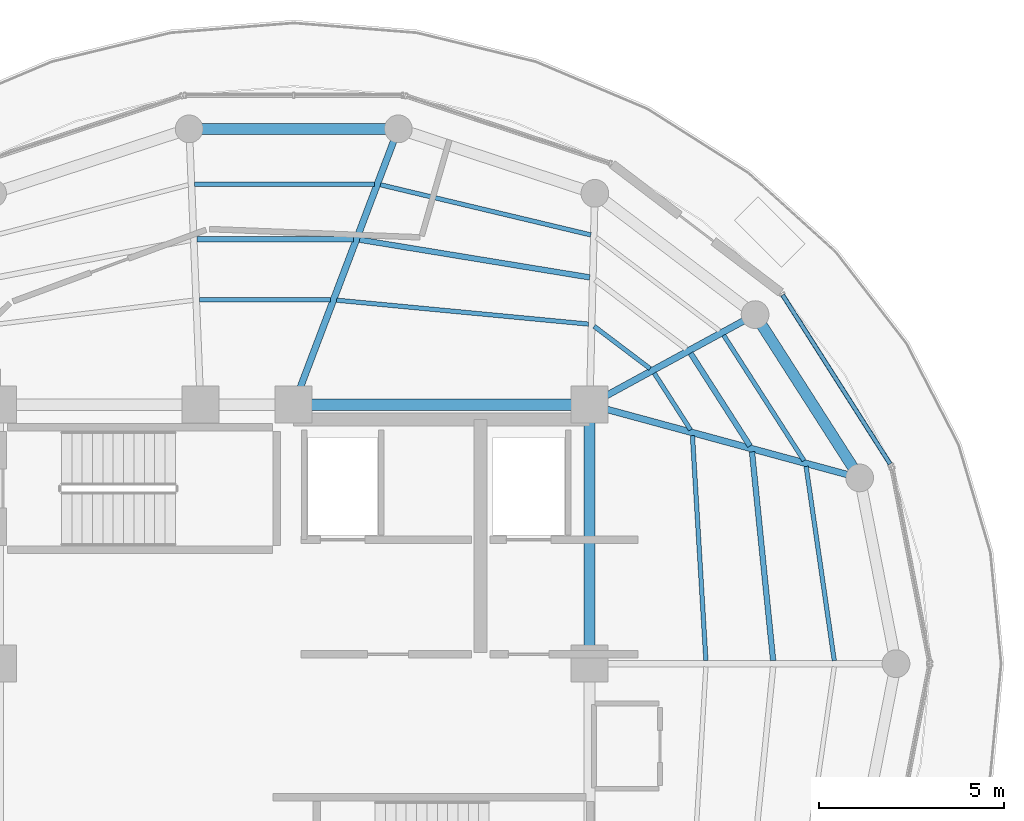
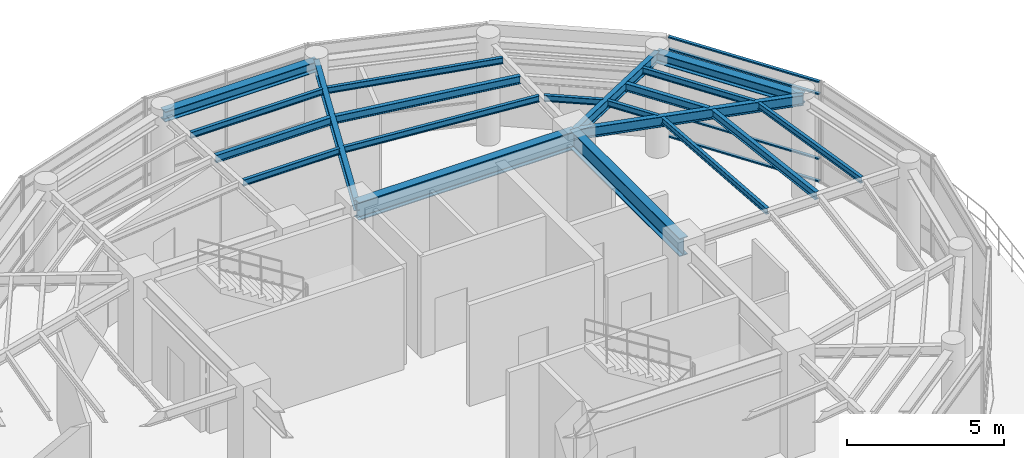
# One storey, part 12 of 20: 20 beams, 4 members, 1 element without a shape of its own.
"""IFC4 building model written with IfcOpenShell, lengths in metres."""

from ifc_helpers import new_model, si_unit, direction, frame, origin, origin_2d, place, context, subcontext, project, spatial, hollow_rectangle, i_section, extrude, material, layer, layer_set, material_profile, profile_set, type_object, element, aggregate, save


model = new_model("IFC4")

# Units and contexts
model_context = context("Model", 3, precision=1e-05, world=origin(), true_north=direction((0.0, 1.0)))
body_context = subcontext(model_context, "Body", "Model", "MODEL_VIEW")
ifc_project = project(units=[si_unit("LENGTHUNIT", "METRE"), si_unit("AREAUNIT", "SQUARE_METRE"), si_unit("VOLUMEUNIT", "CUBIC_METRE"), si_unit("PLANEANGLEUNIT", "RADIAN"), si_unit("MASSUNIT", "GRAM", prefix="KILO")], contexts=[model_context])

# Site, building, storey
site_placement = place(None, origin())
site = spatial("IfcSite", under=ifc_project, at=site_placement, CompositionType="ELEMENT")
building_placement = place(site_placement, origin())
building = spatial("IfcBuilding", under=site, at=building_placement, Name="Kelanora Arch Commons", CompositionType="ELEMENT")
storey_placement = place(building_placement, frame((0.0, 0.0, 298.5)))
storey = spatial("IfcBuildingStorey", under=building, at=storey_placement, Name="L76", CompositionType="ELEMENT", Elevation=298.5)

# Beams
ifc_material_1 = material(Name="Steel S355", Category="steel")
ifc_material_profile_1 = material_profile(ifc_material_1, i_section(OverallWidth=0.300048828125, OverallDepth=0.699951171875, WebThickness=0.01708984375, FlangeThickness=0.031982421875, FilletRadius=0.027099609375, at=origin_2d()), Name="HEB700")
ifc_profile_set_1 = profile_set([ifc_material_profile_1], Name="Steel S355")
beam_type_1 = type_object("IfcBeamType", Name="BM-CORE-HDR", PredefinedType="BEAM", material=ifc_profile_set_1)
beam_1_placement = place(storey_placement, frame((82.0, 58.0, 3.590087890625), z_axis=(0.0, 1.0, 0.0), x_axis=(-1.0, 0.0, 0.0)))
element("IfcBeam", 1, at=beam_1_placement, inside=storey, type_object=beam_type_1, Name="Core Header Beam 04 L76", PredefinedType="BEAM", context=body_context, shape_type="SweptSolid", body=[
    extrude(i_section(OverallWidth=0.300048828125, OverallDepth=0.699951171875, WebThickness=0.01708984375, FlangeThickness=0.031982421875, FilletRadius=0.027099609375, at=origin_2d()), origin(), (0.0, 0.0, 1.0), 7.0),
])
beam_2_placement = place(storey_placement, frame((82.0, 65.0, 3.590087890625), z_axis=(-1.0, 0.0, 0.0), x_axis=(0.0, -1.0, 0.0)))
element("IfcBeam", 2, at=beam_2_placement, inside=storey, type_object=beam_type_1, Name="Core Header Beam 05 L76", PredefinedType="BEAM", context=body_context, shape_type="SweptSolid", body=[
    extrude(i_section(OverallWidth=0.300048828125, OverallDepth=0.699951171875, WebThickness=0.01708984375, FlangeThickness=0.031982421875, FilletRadius=0.027099609375, at=origin_2d()), origin(), (0.0, 0.0, 1.0), 8.0),
])
ifc_material_profile_2 = material_profile(ifc_material_1, i_section(OverallWidth=0.14990234375, OverallDepth=0.300048828125, WebThickness=0.007080078125, FlangeThickness=0.0107421875, FilletRadius=0.014892578125, at=origin_2d()), Name="IPE300")
ifc_profile_set_2 = profile_set([ifc_material_profile_2], Name="Steel S355")
beam_type_2 = type_object("IfcBeamType", Name="BM-JST-01", PredefinedType="JOIST", material=ifc_profile_set_2)
beam_3_placement = place(storey_placement, frame((86.95947265625, 58.084716796875, 3.7900390625), z_axis=(-0.100846008885, 0.994902046682, 0.0), x_axis=(-0.994902046682, -0.100846008885, 0.0)))
element("IfcBeam", 3, at=beam_3_placement, inside=storey, type_object=beam_type_2, Name="Secondary Chord Joist BJB-00 L76", PredefinedType="JOIST", context=body_context, shape_type="SweptSolid", body=[
    extrude(i_section(OverallWidth=0.14990234375, OverallDepth=0.300048828125, WebThickness=0.007080078125, FlangeThickness=0.0107421875, FilletRadius=0.014892578125, at=origin_2d()), origin(), (0.0, 0.0, 1.0), 5.672119140625),
])
beam_4_placement = place(storey_placement, frame((86.3330078125, 63.884033203125, 3.7900390625), z_axis=(-0.539193378054, 0.84218198809, 0.0), x_axis=(-0.84218198809, -0.539193378054, 0.0)))
element("IfcBeam", 4, at=beam_4_placement, inside=storey, type_object=beam_type_2, Name="Secondary Chord Joist BJB-02 L76", PredefinedType="JOIST", context=body_context, shape_type="SweptSolid", body=[
    extrude(i_section(OverallWidth=0.14990234375, OverallDepth=0.300048828125, WebThickness=0.007080078125, FlangeThickness=0.0107421875, FilletRadius=0.014892578125, at=origin_2d()), origin(), (0.0, 0.0, 1.0), 2.975830078125),
])
beam_5_placement = place(storey_placement, frame((82.0, 68.441650390625, 3.7900390625), z_axis=(-0.986849654094, 0.16164083709, 0.0), x_axis=(-0.16164083709, -0.986849654094, 0.0)))
element("IfcBeam", 5, at=beam_5_placement, inside=storey, type_object=beam_type_2, Name="Secondary Chord Joist BJB-06 L76", PredefinedType="JOIST", context=body_context, shape_type="SweptSolid", body=[
    extrude(i_section(OverallWidth=0.14990234375, OverallDepth=0.300048828125, WebThickness=0.007080078125, FlangeThickness=0.0107421875, FilletRadius=0.014892578125, at=origin_2d()), origin(), (0.0, 0.0, 1.0), 6.302734375),
])
beam_6_placement = place(storey_placement, frame((75.611083984375, 69.47412109375, 3.7900390625), z_axis=(-1.0, 0.0, 0.0), x_axis=(0.0, -1.0, 0.0)))
element("IfcBeam", 6, at=beam_6_placement, inside=storey, type_object=beam_type_2, Name="Secondary Chord Joist BJB-08 L76", PredefinedType="JOIST", context=body_context, shape_type="SweptSolid", body=[
    extrude(i_section(OverallWidth=0.14990234375, OverallDepth=0.300048828125, WebThickness=0.007080078125, FlangeThickness=0.0107421875, FilletRadius=0.014892578125, at=origin_2d()), origin(), (0.0, 0.0, 1.0), 4.230224609375),
])
ifc_material_profile_3 = material_profile(ifc_material_1, i_section(OverallWidth=0.1201171875, OverallDepth=0.239990234375, WebThickness=0.006103515625, FlangeThickness=0.009765625, FilletRadius=0.014892578125, at=origin_2d()), Name="IPE240")
ifc_profile_set_3 = profile_set([ifc_material_profile_3], Name="Steel S355")
beam_type_3 = type_object("IfcBeamType", Name="BM-JST-02", PredefinedType="JOIST", material=ifc_profile_set_3)
beam_7_placement = place(storey_placement, frame((85.141357421875, 58.084716796875, 3.820068359375), z_axis=(-0.059619828045, 0.998221155909, 0.0), x_axis=(-0.998221155909, -0.059619828045, 0.0)))
element("IfcBeam", 7, at=beam_7_placement, inside=storey, type_object=beam_type_3, Name="Secondary Chord Joist BJA-00 L76", PredefinedType="JOIST", context=body_context, shape_type="SweptSolid", body=[
    extrude(i_section(OverallWidth=0.1201171875, OverallDepth=0.239990234375, WebThickness=0.006103515625, FlangeThickness=0.009765625, FilletRadius=0.014892578125, at=origin_2d()), origin(), (0.0, 0.0, 1.0), 6.089111328125),
])
beam_8_placement = place(storey_placement, frame((88.61181640625, 58.083984375, 3.820068359375), z_axis=(-0.143489842264, 0.989651789857, 0.0), x_axis=(-0.989651789857, -0.143489842264, 0.0)))
element("IfcBeam", 8, at=beam_8_placement, inside=storey, type_object=beam_type_3, Name="Secondary Chord Joist BJC-00 L76", PredefinedType="JOIST", context=body_context, shape_type="SweptSolid", body=[
    extrude(i_section(OverallWidth=0.1201171875, OverallDepth=0.239990234375, WebThickness=0.006103515625, FlangeThickness=0.009765625, FilletRadius=0.014892578125, at=origin_2d()), origin(), (0.0, 0.0, 1.0), 5.303466796875),
])
beam_9_placement = place(storey_placement, frame((84.7275390625, 64.319580078125, 3.820068359375), z_axis=(-0.539300812993, 0.842113194947, 0.0), x_axis=(-0.842113194947, -0.539300812993, 0.0)))
element("IfcBeam", 9, at=beam_9_placement, inside=storey, type_object=beam_type_3, Name="Secondary Chord Joist BJA-02 L76", PredefinedType="JOIST", context=body_context, shape_type="SweptSolid", body=[
    extrude(i_section(OverallWidth=0.1201171875, OverallDepth=0.239990234375, WebThickness=0.006103515625, FlangeThickness=0.009765625, FilletRadius=0.014892578125, at=origin_2d()), origin(), (0.0, 0.0, 1.0), 1.822021484375),
])
beam_10_placement = place(storey_placement, frame((87.792724609375, 63.48828125, 3.820068359375), z_axis=(-0.539232732312, 0.842156790867, 0.0), x_axis=(-0.842156790867, -0.539232732312, 0.0)))
element("IfcBeam", 10, at=beam_10_placement, inside=storey, type_object=beam_type_3, Name="Secondary Chord Joist BJC-02 L76", PredefinedType="JOIST", context=body_context, shape_type="SweptSolid", body=[
    extrude(i_section(OverallWidth=0.1201171875, OverallDepth=0.239990234375, WebThickness=0.006103515625, FlangeThickness=0.009765625, FilletRadius=0.014892578125, at=origin_2d()), origin(), (0.0, 0.0, 1.0), 4.024169921875),
])
beam_11_placement = place(storey_placement, frame((83.63134765625, 65.97705078125, 3.820068359375), z_axis=(-0.797424826317, 0.603418301324, 0.0), x_axis=(-0.603418301324, -0.797424826317, 0.0)))
element("IfcBeam", 11, at=beam_11_placement, inside=storey, type_object=beam_type_3, Name="Secondary Chord Joist BJA-04 L76", PredefinedType="JOIST", context=body_context, shape_type="SweptSolid", body=[
    extrude(i_section(OverallWidth=0.1201171875, OverallDepth=0.239990234375, WebThickness=0.006103515625, FlangeThickness=0.009765625, FilletRadius=0.014892578125, at=origin_2d()), origin(), (0.0, 0.0, 1.0), 1.893798828125),
])
beam_12_placement = place(storey_placement, frame((81.968505859375, 67.17919921875, 3.820068359375), z_axis=(-0.995523661296, 0.094512643594, 0.0), x_axis=(-0.094512643594, -0.995523661296, 0.0)))
element("IfcBeam", 12, at=beam_12_placement, inside=storey, type_object=beam_type_3, Name="Secondary Chord Joist BJA-06 L76", PredefinedType="JOIST", context=body_context, shape_type="SweptSolid", body=[
    extrude(i_section(OverallWidth=0.1201171875, OverallDepth=0.239990234375, WebThickness=0.006103515625, FlangeThickness=0.009765625, FilletRadius=0.014892578125, at=origin_2d()), origin(), (0.0, 0.0, 1.0), 6.840087890625),
])
beam_13_placement = place(storey_placement, frame((82.029296875, 69.59033203125, 3.820068359375), z_axis=(-0.972733556605, 0.231925479098, 0.0), x_axis=(-0.231925479098, -0.972733556605, 0.0)))
element("IfcBeam", 13, at=beam_13_placement, inside=storey, type_object=beam_type_3, Name="Secondary Chord Joist BJC-06 L76", PredefinedType="JOIST", context=body_context, shape_type="SweptSolid", body=[
    extrude(i_section(OverallWidth=0.1201171875, OverallDepth=0.239990234375, WebThickness=0.006103515625, FlangeThickness=0.009765625, FilletRadius=0.014892578125, at=origin_2d()), origin(), (0.0, 0.0, 1.0), 5.844482421875),
])
beam_14_placement = place(storey_placement, frame((74.9892578125, 67.833740234375, 3.820068359375), z_axis=(-1.0, 0.0, 0.0), x_axis=(0.0, -1.0, 0.0)))
element("IfcBeam", 14, at=beam_14_placement, inside=storey, type_object=beam_type_3, Name="Secondary Chord Joist BJA-08 L76", PredefinedType="JOIST", context=body_context, shape_type="SweptSolid", body=[
    extrude(i_section(OverallWidth=0.1201171875, OverallDepth=0.239990234375, WebThickness=0.006103515625, FlangeThickness=0.009765625, FilletRadius=0.014892578125, at=origin_2d()), origin(), (0.0, 0.0, 1.0), 3.541015625),
])
beam_15_placement = place(storey_placement, frame((76.176513671875, 70.965576171875, 3.820068359375), z_axis=(-1.0, 0.0, 0.0), x_axis=(0.0, -1.0, 0.0)))
element("IfcBeam", 15, at=beam_15_placement, inside=storey, type_object=beam_type_3, Name="Secondary Chord Joist BJC-08 L76", PredefinedType="JOIST", context=body_context, shape_type="SweptSolid", body=[
    extrude(i_section(OverallWidth=0.1201171875, OverallDepth=0.239990234375, WebThickness=0.006103515625, FlangeThickness=0.009765625, FilletRadius=0.014892578125, at=origin_2d()), origin(), (0.0, 0.0, 1.0), 4.857177734375),
])
ifc_material_profile_4 = material_profile(ifc_material_1, i_section(OverallWidth=0.179931640625, OverallDepth=0.39990234375, WebThickness=0.008544921875, FlangeThickness=0.013427734375, FilletRadius=0.02099609375, at=origin_2d()), Name="IPE400")
ifc_profile_set_4 = profile_set([ifc_material_profile_4], Name="Steel S355")
beam_type_4 = type_object("IfcBeamType", Name="BM-RAD-Z5", PredefinedType="BEAM", material=ifc_profile_set_4)
beam_16_placement = place(storey_placement, frame((82.0, 65.0, 3.739990234375), z_axis=(0.965145027625, -0.26171563891, 0.0), x_axis=(0.26171563891, 0.965145027625, 0.0)))
element("IfcBeam", 16, at=beam_16_placement, inside=storey, type_object=beam_type_4, Name="Radial Floor Girder BR-02 L76", PredefinedType="BEAM", context=body_context, shape_type="SweptSolid", body=[
    extrude(i_section(OverallWidth=0.179931640625, OverallDepth=0.39990234375, WebThickness=0.008544921875, FlangeThickness=0.013427734375, FilletRadius=0.02099609375, at=origin_2d()), origin(), (0.0, 0.0, 1.0), 7.561767578125),
])
beam_17_placement = place(storey_placement, frame((82.0, 65.0, 3.739990234375), z_axis=(0.878126355987, 0.478428785631, 0.0), x_axis=(-0.478428785631, 0.878126355987, 0.0)))
element("IfcBeam", 17, at=beam_17_placement, inside=storey, type_object=beam_type_4, Name="Radial Floor Girder BR-04 L76", PredefinedType="BEAM", context=body_context, shape_type="SweptSolid", body=[
    extrude(i_section(OverallWidth=0.179931640625, OverallDepth=0.39990234375, WebThickness=0.008544921875, FlangeThickness=0.013427734375, FilletRadius=0.02099609375, at=origin_2d()), origin(), (0.0, 0.0, 1.0), 5.091796875),
])
beam_18_placement = place(storey_placement, frame((74.0, 65.0, 3.739990234375), z_axis=(0.354476114465, 0.93506506954, 0.0), x_axis=(-0.93506506954, 0.354476114465, 0.0)))
element("IfcBeam", 18, at=beam_18_placement, inside=storey, type_object=beam_type_4, Name="Radial Floor Girder BR-08 L76", PredefinedType="BEAM", context=body_context, shape_type="SweptSolid", body=[
    extrude(i_section(OverallWidth=0.179931640625, OverallDepth=0.39990234375, WebThickness=0.008544921875, FlangeThickness=0.013427734375, FilletRadius=0.02099609375, at=origin_2d()), origin(), (0.0, 0.0, 1.0), 7.974853515625),
])
ifc_material_profile_5 = material_profile(ifc_material_1, i_section(OverallWidth=0.300048828125, OverallDepth=0.39990234375, WebThickness=0.013427734375, FlangeThickness=0.02392578125, FilletRadius=0.027099609375, at=origin_2d()), Name="HEB400")
ifc_profile_set_5 = profile_set([ifc_material_profile_5], Name="Steel S355")
beam_type_5 = type_object("IfcBeamType", Name="BM-SPN-Z4", PredefinedType="SPANDREL", material=ifc_profile_set_5)
beam_19_placement = place(storey_placement, frame((89.298095703125, 63.02099609375, 3.739990234375), z_axis=(-0.53922680048, 0.842160588987, 0.0), x_axis=(-0.842160588987, -0.53922680048, 0.0)))
element("IfcBeam", 19, at=beam_19_placement, inside=storey, type_object=beam_type_5, Name="Perimeter Spandrel Beam BS-02 L76", PredefinedType="SPANDREL", context=body_context, shape_type="SweptSolid", body=[
    extrude(i_section(OverallWidth=0.300048828125, OverallDepth=0.39990234375, WebThickness=0.013427734375, FlangeThickness=0.02392578125, FilletRadius=0.027099609375, at=origin_2d()), origin(), (0.0, 0.0, 1.0), 5.242431640625),
])
beam_20_placement = place(storey_placement, frame((76.826904296875, 72.45703125, 3.739990234375), z_axis=(-1.0, 0.0, 0.0), x_axis=(0.0, -1.0, 0.0)))
element("IfcBeam", 20, at=beam_20_placement, inside=storey, type_object=beam_type_5, Name="Perimeter Spandrel Beam BS-08 L76", PredefinedType="SPANDREL", context=body_context, shape_type="SweptSolid", body=[
    extrude(i_section(OverallWidth=0.300048828125, OverallDepth=0.39990234375, WebThickness=0.013427734375, FlangeThickness=0.02392578125, FilletRadius=0.027099609375, at=origin_2d()), origin(), (0.0, 0.0, 1.0), 5.65380859375),
])

# Curtain wall, members
ifc_material_2 = material(Name="Terracotta ceramic-fritted low-E glass and aluminium", Category="masonry")
ifc_layer = layer(ifc_material_2, 0.14990234375)
ifc_layer_set = layer_set([ifc_layer], Name="Terracotta ceramic-fritted low-E glass and aluminium")
curtain_wall_type = type_object("IfcCurtainWallType", Name="CW-SYS-06", PredefinedType="NOTDEFINED", material=ifc_layer_set)
curtain_wall_placement = place(storey_placement, origin())
curtain_wall = element("IfcCurtainWall", 21, at=curtain_wall_placement, inside=storey, type_object=curtain_wall_type, Name="Unitised Curtain Wall L76-B01", PredefinedType="NOTDEFINED")
ifc_material_3 = material(Name="Powder-coated aluminium terracotta", Category="masonry")
ifc_material_profile_6 = material_profile(ifc_material_3, hollow_rectangle(XDim=0.1201171875, YDim=0.06005859375, WallThickness=0.0048828125, InnerFilletRadius=0.0048828125, OuterFilletRadius=0.010009765625, at=origin_2d()), Name="CWT120x60")
ifc_profile_set_6 = profile_set([ifc_material_profile_6], Name="Powder-coated aluminium terracotta")
member_type = type_object("IfcMemberType", Name="CWT-STD", PredefinedType="USERDEFINED", material=ifc_profile_set_6)
member_1_placement = place(storey_placement, frame((90.122314453125, 63.39892578125, 0.030029296875), z_axis=(-0.536992252766, 0.843587174197, 0.0), x_axis=(-0.843587174197, -0.536992252766, 0.0)))
member_1 = element("IfcMember", 22, at=member_1_placement, type_object=member_type, Name="CW-06 transom 1.1", ObjectType="TRANSOM", PredefinedType="USERDEFINED", context=body_context, shape_type="SweptSolid", body=[
    extrude(hollow_rectangle(XDim=0.1201171875, YDim=0.06005859375, WallThickness=0.0048828125, InnerFilletRadius=0.0048828125, OuterFilletRadius=0.010009765625, at=origin_2d()), origin(), (0.0, 0.0, 1.0), 5.41162109375),
])
member_2_placement = place(storey_placement, frame((90.122314453125, 63.39892578125, 0.89990234375), z_axis=(-0.536992252766, 0.843587174197, 0.0), x_axis=(-0.843587174197, -0.536992252766, 0.0)))
member_2 = element("IfcMember", 23, at=member_2_placement, type_object=member_type, Name="CW-06 transom 1.2", ObjectType="TRANSOM", PredefinedType="USERDEFINED", context=body_context, shape_type="SweptSolid", body=[
    extrude(hollow_rectangle(XDim=0.1201171875, YDim=0.06005859375, WallThickness=0.0048828125, InnerFilletRadius=0.0048828125, OuterFilletRadius=0.010009765625, at=origin_2d()), origin(), (0.0, 0.0, 1.0), 5.41162109375),
])
member_3_placement = place(storey_placement, frame((90.122314453125, 63.39892578125, 3.425048828125), z_axis=(-0.536992252766, 0.843587174197, 0.0), x_axis=(-0.843587174197, -0.536992252766, 0.0)))
member_3 = element("IfcMember", 24, at=member_3_placement, type_object=member_type, Name="CW-06 transom 1.3", ObjectType="TRANSOM", PredefinedType="USERDEFINED", context=body_context, shape_type="SweptSolid", body=[
    extrude(hollow_rectangle(XDim=0.1201171875, YDim=0.06005859375, WallThickness=0.0048828125, InnerFilletRadius=0.0048828125, OuterFilletRadius=0.010009765625, at=origin_2d()), origin(), (0.0, 0.0, 1.0), 5.41162109375),
])
member_4_placement = place(storey_placement, frame((90.122314453125, 63.39892578125, 3.89501953125), z_axis=(-0.536992252766, 0.843587174197, 0.0), x_axis=(-0.843587174197, -0.536992252766, 0.0)))
member_4 = element("IfcMember", 25, at=member_4_placement, type_object=member_type, Name="CW-06 transom 1.4", ObjectType="TRANSOM", PredefinedType="USERDEFINED", context=body_context, shape_type="SweptSolid", body=[
    extrude(hollow_rectangle(XDim=0.1201171875, YDim=0.06005859375, WallThickness=0.0048828125, InnerFilletRadius=0.0048828125, OuterFilletRadius=0.010009765625, at=origin_2d()), origin(), (0.0, 0.0, 1.0), 5.41162109375),
])
aggregate(curtain_wall, [member_1, member_2, member_3, member_4])

save(model, "model.ifc")
